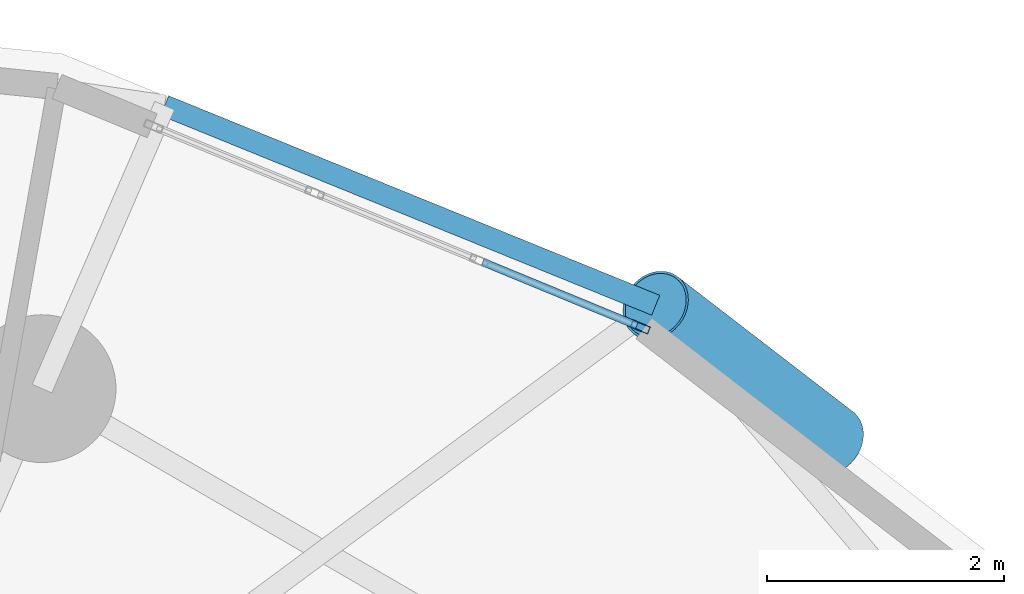
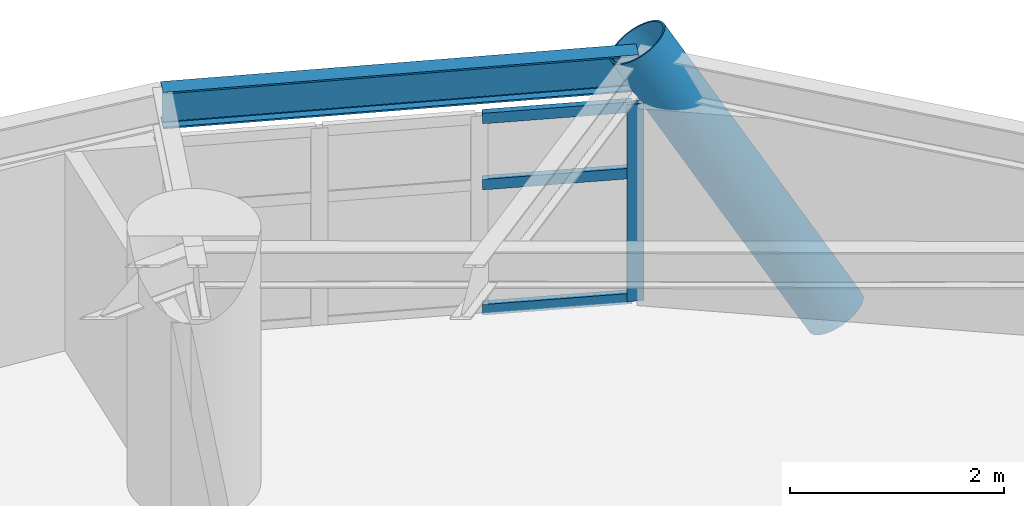
# One storey, part 8 of 18: 5 members, 1 beam, 1 element without a shape of its own.
"""IFC4 building model written with IfcOpenShell, lengths in metres."""

from ifc_helpers import new_model, si_unit, direction, frame, origin, origin_2d, place, context, subcontext, project, spatial, hollow_rectangle, hollow_circle, i_section, extrude, material, layer, layer_set, material_profile, profile_set, type_object, element, aggregate, save


model = new_model("IFC4")

# Units and contexts
model_context = context("Model", 3, precision=1e-05, world=origin(), true_north=direction((0.0, 1.0)))
body_context = subcontext(model_context, "Body", "Model", "MODEL_VIEW")
ifc_project = project(units=[si_unit("LENGTHUNIT", "METRE"), si_unit("AREAUNIT", "SQUARE_METRE"), si_unit("VOLUMEUNIT", "CUBIC_METRE"), si_unit("PLANEANGLEUNIT", "RADIAN"), si_unit("MASSUNIT", "GRAM", prefix="KILO")], contexts=[model_context])

# Site, building, storey
site_placement = place(None, origin())
site = spatial("IfcSite", under=ifc_project, at=site_placement, CompositionType="ELEMENT")
building_placement = place(site_placement, origin())
building = spatial("IfcBuilding", under=site, at=building_placement, Name="Cununo Teusaquillo Station Towers", CompositionType="ELEMENT")
storey_placement = place(building_placement, frame((0.0, 0.0, 157.419921875)))
storey = spatial("IfcBuildingStorey", under=building, at=storey_placement, Name="L49", CompositionType="ELEMENT", Elevation=157.419921875)

# Beam
ifc_material_1 = material(Name="Steel ASTM A572 Grade 50", Category="steel")
ifc_material_profile_1 = material_profile(ifc_material_1, i_section(OverallWidth=0.180908203125, OverallDepth=0.4169921875, WebThickness=0.010986328125, FlangeThickness=0.018310546875, FilletRadius=0.012939453125, at=origin_2d()), Name="W16X57")
ifc_profile_set_1 = profile_set([ifc_material_profile_1], Name="Steel ASTM A572 Grade 50")
beam_type = type_object("IfcBeamType", Name="BM-RING-Z3", PredefinedType="SPANDREL", material=ifc_profile_set_1)
beam_placement = place(storey_placement, frame((63.478271484375, 38.340087890625, 2.481689453125), z_axis=(-0.926380466449, 0.376588942192, 0.0), x_axis=(-0.376588942192, -0.926380466449, 0.0)))
element("IfcBeam", 1, at=beam_placement, inside=storey, type_object=beam_type, Name="L49 Tower B Spandrel Ring Beam 02", PredefinedType="SPANDREL", context=body_context, shape_type="SweptSolid", body=[
    extrude(i_section(OverallWidth=0.180908203125, OverallDepth=0.4169921875, WebThickness=0.010986328125, FlangeThickness=0.018310546875, FilletRadius=0.012939453125, at=origin_2d()), origin(), (0.0, 0.0, 1.0), 4.48095703125),
])

# Curtain wall, members
ifc_material_2 = material(Name="Operable acoustic tinted low-E double glazing", Category="glass")
ifc_layer = layer(ifc_material_2, 0.179931640625)
ifc_layer_set = layer_set([ifc_layer], Name="Operable acoustic tinted low-E double glazing")
curtain_wall_type = type_object("IfcCurtainWallType", Name="CW-SYS-06", PredefinedType="USERDEFINED", material=ifc_layer_set)
curtain_wall_placement = place(storey_placement, origin())
curtain_wall = element("IfcCurtainWall", 2, at=curtain_wall_placement, inside=storey, type_object=curtain_wall_type, Name="L49 Tower B Facade Curtain Wall C01", ObjectType="OPERABLE GLAZING", PredefinedType="USERDEFINED")
ifc_material_3 = material(Name="Anodised dark bronze aluminium EN AW-6063-T6", Category="aluminium")
ifc_material_profile_2 = material_profile(ifc_material_3, hollow_rectangle(XDim=0.06494140625, YDim=0.159912109375, WallThickness=0.00390625, at=origin_2d()), Name="CW-MULL-65x160")
ifc_profile_set_2 = profile_set([ifc_material_profile_2], Name="Anodised dark bronze aluminium EN AW-6063-T6")
member_type_1 = type_object("IfcMemberType", Name="CWM-160", PredefinedType="MULLION", material=ifc_profile_set_2)
member_1_placement = place(storey_placement, frame((63.348388671875, 38.156494140625, 0.0), z_axis=(0.0, 0.0, 1.0), x_axis=(0.381121790423, 0.924524840588, 0.0)))
member_1 = element("IfcMember", 3, at=member_1_placement, type_object=member_type_1, Name="CW-06 mullion 4", PredefinedType="MULLION", context=body_context, shape_type="SweptSolid", body=[
    extrude(hollow_rectangle(XDim=0.06494140625, YDim=0.159912109375, WallThickness=0.00390625, at=origin_2d()), origin(), (0.0, 0.0, 1.0), 2.2451171875),
])
ifc_material_4 = material(Name="Anodised dark bronze aluminium EN AW-6063-T6", Category="aluminium")
ifc_material_profile_3 = material_profile(ifc_material_4, hollow_rectangle(XDim=0.06494140625, YDim=0.1201171875, WallThickness=0.00390625, at=origin_2d()), Name="CW-TRAN-65x120")
ifc_profile_set_3 = profile_set([ifc_material_profile_3], Name="Anodised dark bronze aluminium EN AW-6063-T6")
member_type_2 = type_object("IfcMemberType", Name="CWT-120", PredefinedType="USERDEFINED", material=ifc_profile_set_3)
member_2_placement = place(storey_placement, frame((62.016845703125, 38.70556640625, 0.032470703125), z_axis=(0.924502014319, -0.381177157658, 0.0), x_axis=(0.381177157658, 0.924502014319, 0.0)))
member_2 = element("IfcMember", 4, at=member_2_placement, type_object=member_type_2, Name="CW-06 transom 3.1", ObjectType="TRANSOM", PredefinedType="USERDEFINED", context=body_context, shape_type="SweptSolid", body=[
    extrude(hollow_rectangle(XDim=0.06494140625, YDim=0.1201171875, WallThickness=0.00390625, at=origin_2d()), origin(), (0.0, 0.0, 1.0), 1.40771484375),
])
member_3_placement = place(storey_placement, frame((62.016845703125, 38.70556640625, 1.458984375), z_axis=(0.924502014319, -0.381177157658, 0.0), x_axis=(0.381177157658, 0.924502014319, 0.0)))
member_3 = element("IfcMember", 5, at=member_3_placement, type_object=member_type_2, Name="CW-06 transom 3.2", ObjectType="TRANSOM", PredefinedType="USERDEFINED", context=body_context, shape_type="SweptSolid", body=[
    extrude(hollow_rectangle(XDim=0.06494140625, YDim=0.1201171875, WallThickness=0.00390625, at=origin_2d()), origin(), (0.0, 0.0, 1.0), 1.40771484375),
])
member_4_placement = place(storey_placement, frame((62.016845703125, 38.70556640625, 2.212646484375), z_axis=(0.924502014319, -0.381177157658, 0.0), x_axis=(0.381177157658, 0.924502014319, 0.0)))
member_4 = element("IfcMember", 6, at=member_4_placement, type_object=member_type_2, Name="CW-06 transom 3.3", ObjectType="TRANSOM", PredefinedType="USERDEFINED", context=body_context, shape_type="SweptSolid", body=[
    extrude(hollow_rectangle(XDim=0.06494140625, YDim=0.1201171875, WallThickness=0.00390625, at=origin_2d()), origin(), (0.0, 0.0, 1.0), 1.40771484375),
])
aggregate(curtain_wall, [member_1, member_2, member_3, member_4])

# Member
ifc_material_5 = material(Name="Steel EN 10025-2 S355J2", Category="steel")
ifc_material_profile_4 = material_profile(ifc_material_5, hollow_circle(Radius=0.304931640625, WallThickness=0.02001953125, at=origin_2d()), Name="CHS 610x20")
ifc_profile_set_4 = profile_set([ifc_material_profile_4], Name="Steel EN 10025-2 S355J2")
member_type_3 = type_object("IfcMemberType", Name="MBR-DIAG-Z3", PredefinedType="BRACE", material=ifc_profile_set_4)
member_5_placement = place(storey_placement, frame((64.95849609375, 37.199951171875, -0.139892578125), z_axis=(-0.42804367487, 0.329698822636, 0.841473290578), x_axis=(-0.610215818747, -0.79223522678, 0.0)))
element("IfcMember", 7, at=member_5_placement, inside=storey, type_object=member_type_3, Name="L49 Tower B Folded-Zigzag Diagrid Tube C00", PredefinedType="BRACE", context=body_context, shape_type="SweptSolid", body=[
    extrude(hollow_circle(Radius=0.304931640625, WallThickness=0.02001953125, at=origin_2d()), origin(), (0.0, 0.0, 1.0), 3.4580078125),
])

save(model, "model.ifc")
